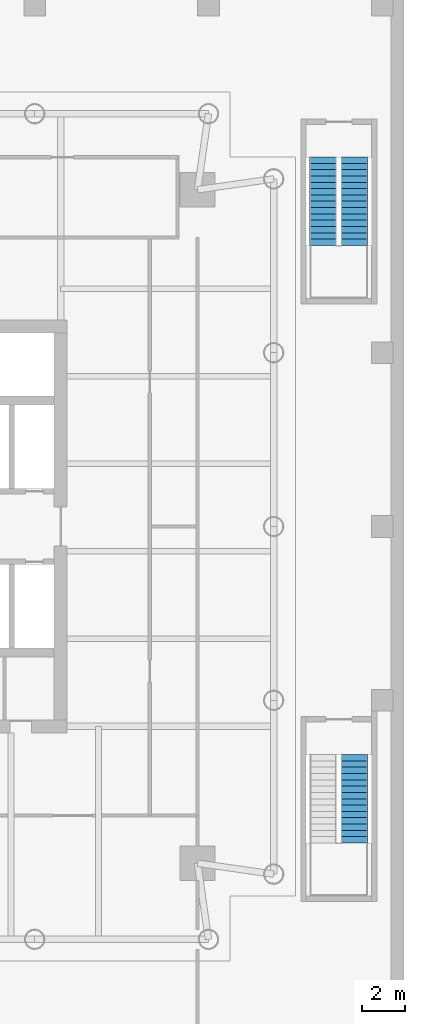
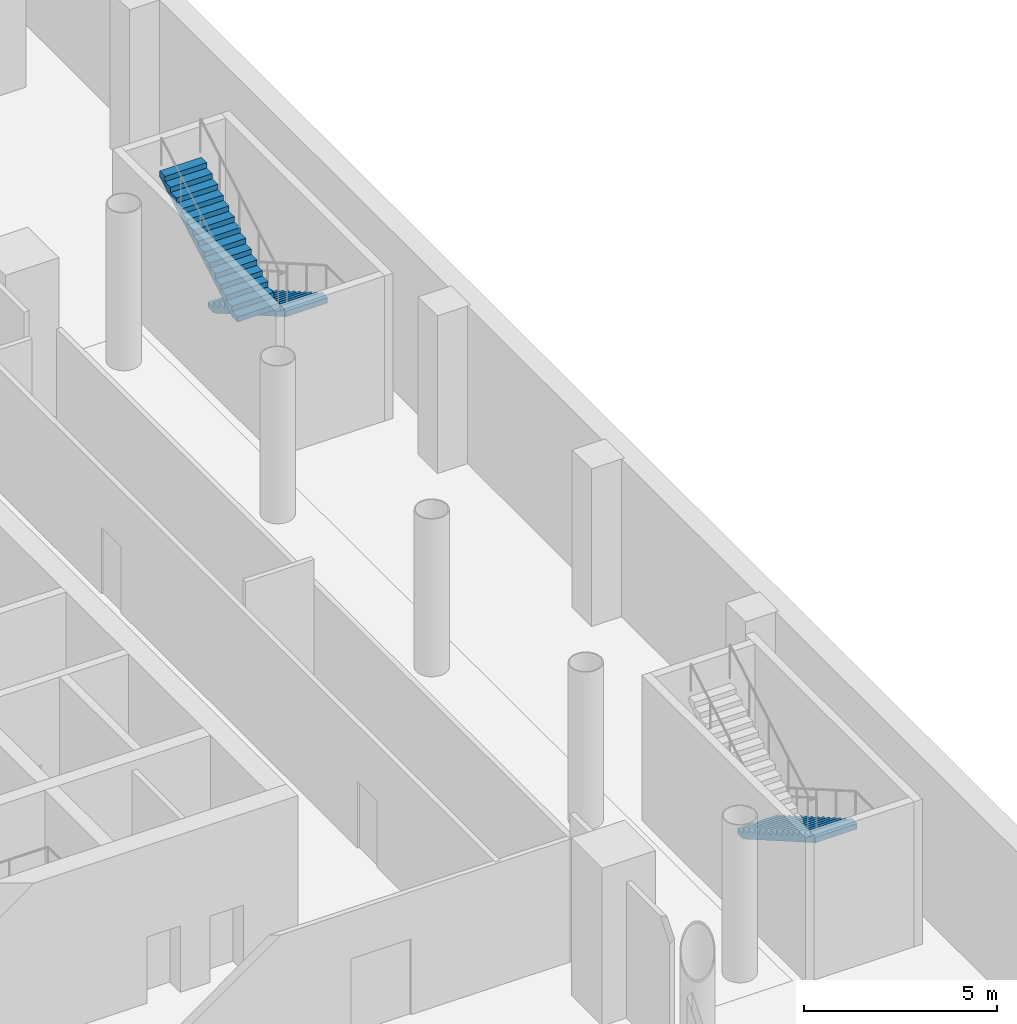
# One storey, part 18 of 22: 3 stair flights, 2 elements without a shape of their own.
"""IFC4 building model written with IfcOpenShell, lengths in metres."""

from ifc_helpers import new_model, si_unit, direction, frame, origin, place, context, subcontext, project, spatial, polyline, outline, extrude, material, type_object, element, aggregate, save


model = new_model("IFC4")

# Units and contexts
model_context = context("Model", 3, precision=1e-05, world=origin(), true_north=direction((0.0, 1.0)))
body_context = subcontext(model_context, "Body", "Model", "MODEL_VIEW")
ifc_project = project(units=[si_unit("LENGTHUNIT", "METRE"), si_unit("AREAUNIT", "SQUARE_METRE"), si_unit("VOLUMEUNIT", "CUBIC_METRE"), si_unit("PLANEANGLEUNIT", "RADIAN"), si_unit("MASSUNIT", "GRAM", prefix="KILO")], contexts=[model_context])

# Site, building, storey
site_placement = place(None, origin())
site = spatial("IfcSite", under=ifc_project, at=site_placement, CompositionType="ELEMENT")
building_placement = place(site_placement, origin())
building = spatial("IfcBuilding", under=site, at=building_placement, Name="Ostroluk Exchange", CompositionType="ELEMENT")
storey_placement = place(building_placement, frame((0.0, 0.0, -5.0)))
storey = spatial("IfcBuildingStorey", under=building, at=storey_placement, Name="B1", CompositionType="ELEMENT", Elevation=-5.0)

# Stair, stair flight
ifc_material_1 = material(Name="Concrete C30/37", Category="concrete")
stair_type = type_object("IfcStairType", Name="Exit stair half turn 5000", PredefinedType="HALF_TURN_STAIR", material=ifc_material_1)
stair_1_placement = place(storey_placement, origin())
stair_1 = element("IfcStair", 1, at=stair_1_placement, inside=storey, type_object=stair_type, Name="Stair PS7 B1", PredefinedType="HALF_TURN_STAIR")
ifc_material_2 = material(Name="Concrete C30/37", Category="concrete")
stair_flight_type = type_object("IfcStairFlightType", Name="Stair flight 15 risers 166.7 x 290", PredefinedType="STRAIGHT", material=ifc_material_2)
stair_flight_1_placement = place(storey_placement, frame((139.72509765625, 35.5, 0.0), z_axis=(0.0, 0.0, 1.0), x_axis=(0.0, -1.0, 0.0)))
stair_flight_1 = element("IfcStairFlight", 2, at=stair_flight_1_placement, type_object=stair_flight_type, Name="PS7 flight 1", NumberOfRisers=15, NumberOfTreads=14, PredefinedType="STRAIGHT", RiserHeight=0.166666667, TreadLength=0.29, context=body_context, shape_type="SweptSolid", body=[
    extrude(outline(polyline([(0.0, 0.0), (0.0, 0.166748046875), (0.2900390625, 0.166748046875), (0.2900390625, 0.333251953125), (0.580078125, 0.333251953125), (0.580078125, 0.5), (0.8701171875, 0.5), (0.8701171875, 0.666748046875), (1.159912109375, 0.666748046875), (1.159912109375, 0.833251953125), (1.449951171875, 0.833251953125), (1.449951171875, 1.0), (1.739990234375, 1.0), (1.739990234375, 1.166748046875), (2.030029296875, 1.166748046875), (2.030029296875, 1.333251953125), (2.320068359375, 1.333251953125), (2.320068359375, 1.5), (2.610107421875, 1.5), (2.610107421875, 1.666748046875), (2.89990234375, 1.666748046875), (2.89990234375, 1.833251953125), (3.18994140625, 1.833251953125), (3.18994140625, 2.0), (3.47998046875, 2.0), (3.47998046875, 2.166748046875), (3.77001953125, 2.166748046875), (3.77001953125, 2.333251953125), (4.06005859375, 2.333251953125), (4.06005859375, 2.5), (4.06005859375, 2.160400390625), (0.30078125, 0.0), (0.0, 0.0)])), frame((0.0, 0.625, 0.0), z_axis=(0.0, -1.0, 0.0), x_axis=(1.0, 0.0, 0.0)), (0.0, 0.0, 1.0), 1.25),
])
aggregate(stair_1, [stair_flight_1])

# Stair, stair flights
stair_2_placement = place(storey_placement, origin())
stair_2 = element("IfcStair", 3, at=stair_2_placement, inside=storey, type_object=stair_type, Name="Stair PS8 B1", PredefinedType="HALF_TURN_STAIR")
stair_flight_2_placement = place(storey_placement, frame((139.72509765625, 63.0, 0.0), z_axis=(0.0, 0.0, 1.0), x_axis=(0.0, -1.0, 0.0)))
stair_flight_2 = element("IfcStairFlight", 4, at=stair_flight_2_placement, type_object=stair_flight_type, Name="PS8 flight 1", NumberOfRisers=15, NumberOfTreads=14, PredefinedType="STRAIGHT", RiserHeight=0.166666667, TreadLength=0.29, context=body_context, shape_type="SweptSolid", body=[
    extrude(outline(polyline([(0.0, 0.0), (0.0, 0.166748046875), (0.2900390625, 0.166748046875), (0.2900390625, 0.333251953125), (0.580078125, 0.333251953125), (0.580078125, 0.5), (0.8701171875, 0.5), (0.8701171875, 0.666748046875), (1.159912109375, 0.666748046875), (1.159912109375, 0.833251953125), (1.449951171875, 0.833251953125), (1.449951171875, 1.0), (1.739990234375, 1.0), (1.739990234375, 1.166748046875), (2.030029296875, 1.166748046875), (2.030029296875, 1.333251953125), (2.320068359375, 1.333251953125), (2.320068359375, 1.5), (2.610107421875, 1.5), (2.610107421875, 1.666748046875), (2.89990234375, 1.666748046875), (2.89990234375, 1.833251953125), (3.18994140625, 1.833251953125), (3.18994140625, 2.0), (3.47998046875, 2.0), (3.47998046875, 2.166748046875), (3.77001953125, 2.166748046875), (3.77001953125, 2.333251953125), (4.06005859375, 2.333251953125), (4.06005859375, 2.5), (4.06005859375, 2.160400390625), (0.30078125, 0.0), (0.0, 0.0)])), frame((0.0, 0.625, 0.0), z_axis=(0.0, -1.0, 0.0), x_axis=(1.0, 0.0, 0.0)), (0.0, 0.0, 1.0), 1.25),
])
stair_flight_3_placement = place(storey_placement, frame((138.27490234375, 58.93994140625, 2.5), z_axis=(0.0, 0.0, 1.0), x_axis=(0.0, 1.0, 0.0)))
stair_flight_3 = element("IfcStairFlight", 5, at=stair_flight_3_placement, type_object=stair_flight_type, Name="PS8 flight 2", NumberOfRisers=15, NumberOfTreads=14, PredefinedType="STRAIGHT", RiserHeight=0.166666667, TreadLength=0.29, context=body_context, shape_type="SweptSolid", body=[
    extrude(outline(polyline([(0.0, 0.0), (0.0, 0.166748046875), (0.2900390625, 0.166748046875), (0.2900390625, 0.333251953125), (0.580078125, 0.333251953125), (0.580078125, 0.5), (0.8701171875, 0.5), (0.8701171875, 0.666748046875), (1.159912109375, 0.666748046875), (1.159912109375, 0.833251953125), (1.449951171875, 0.833251953125), (1.449951171875, 1.0), (1.739990234375, 1.0), (1.739990234375, 1.166748046875), (2.030029296875, 1.166748046875), (2.030029296875, 1.333251953125), (2.320068359375, 1.333251953125), (2.320068359375, 1.5), (2.610107421875, 1.5), (2.610107421875, 1.666748046875), (2.89990234375, 1.666748046875), (2.89990234375, 1.833251953125), (3.18994140625, 1.833251953125), (3.18994140625, 2.0), (3.47998046875, 2.0), (3.47998046875, 2.166748046875), (3.77001953125, 2.166748046875), (3.77001953125, 2.333251953125), (4.06005859375, 2.333251953125), (4.06005859375, 2.5), (4.06005859375, 2.160400390625), (0.30078125, 0.0), (0.0, 0.0)])), frame((0.0, 0.625, 0.0), z_axis=(0.0, -1.0, 0.0), x_axis=(1.0, 0.0, 0.0)), (0.0, 0.0, 1.0), 1.25),
])
aggregate(stair_2, [stair_flight_2, stair_flight_3])

save(model, "model.ifc")
